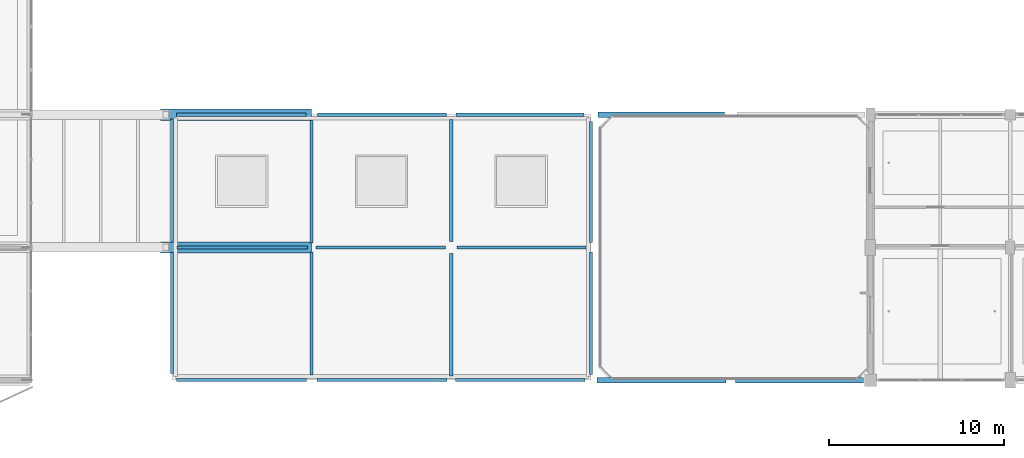
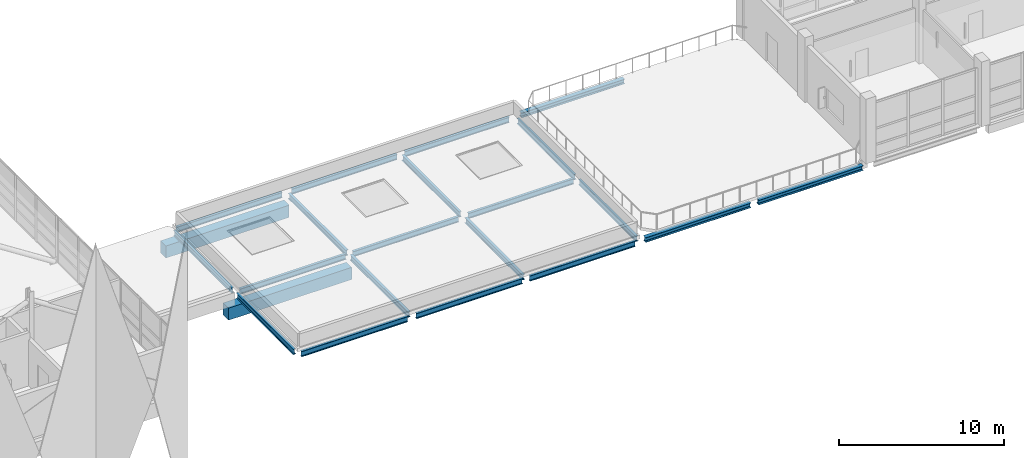
# One storey, part 18 of 107: 22 beams.
"""IFC4 building model written with IfcOpenShell, lengths in metres."""

from ifc_helpers import new_model, si_unit, direction, frame, origin, origin_2d, place, context, subcontext, project, spatial, rectangle, i_section, extrude, material, material_profile, profile_set, type_object, element, save


model = new_model("IFC4")

# Units and contexts
model_context = context("Model", 3, precision=1e-05, world=origin(), true_north=direction((0.0, 1.0)))
body_context = subcontext(model_context, "Body", "Model", "MODEL_VIEW")
ifc_project = project(units=[si_unit("LENGTHUNIT", "METRE"), si_unit("AREAUNIT", "SQUARE_METRE"), si_unit("VOLUMEUNIT", "CUBIC_METRE"), si_unit("PLANEANGLEUNIT", "RADIAN"), si_unit("MASSUNIT", "GRAM", prefix="KILO")], contexts=[model_context])

# Site, building, storey
site_placement = place(None, origin())
site = spatial("IfcSite", under=ifc_project, at=site_placement, CompositionType="ELEMENT")
building_placement = place(site_placement, origin())
building = spatial("IfcBuilding", under=site, at=building_placement, Name="Khelvaren Railside Concert Hall", CompositionType="ELEMENT")
storey_placement = place(building_placement, frame((0.0, 0.0, 15.0)))
storey = spatial("IfcBuildingStorey", under=building, at=storey_placement, Name="L03", CompositionType="ELEMENT", Elevation=15.0)

# Beams
ifc_material_1 = material(Name="Concrete C40/50", Category="concrete")
ifc_material_profile_1 = material_profile(ifc_material_1, rectangle(XDim=0.64990234375, YDim=0.89990234375, at=origin_2d()), Name="RCB 650x900")
ifc_profile_set_1 = profile_set([ifc_material_profile_1], Name="Concrete C40/50")
beam_type_1 = type_object("IfcBeamType", Name="BM18", PredefinedType="BEAM", material=ifc_profile_set_1)
for number, where, z_axis, x_axis, name in (
    (1, (63.35009765625, 7.60009765625, -1.639892578125), (1.0, 0.0, 0.0), (0.0, 1.0, 0.0), "West Promenade Link Bridge L03 Seismic Corbel Seat 1"),
    (2, (63.35009765625, 15.199951171875, -1.639892578125), (1.0, 0.0, 0.0), (0.0, 1.0, 0.0), "West Promenade Link Bridge L03 Seismic Corbel Seat 2"),
):
    element("IfcBeam", number, at=place(storey_placement, frame(where, z_axis=z_axis, x_axis=x_axis)), inside=storey, type_object=beam_type_1, Name=name, PredefinedType="BEAM", context=body_context, shape_type="SweptSolid", body=[
        extrude(rectangle(XDim=0.64990234375, YDim=0.89990234375, at=origin_2d()), origin(), (0.0, 0.0, 1.0), 8.64990234375),
    ])
ifc_material_2 = material(Name="Steel S355", Category="steel")
ifc_material_profile_2 = material_profile(ifc_material_2, i_section(OverallWidth=0.179931640625, OverallDepth=0.39990234375, WebThickness=0.008544921875, FlangeThickness=0.013427734375, FilletRadius=0.02099609375, at=origin_2d()), Name="IPE 400")
ifc_profile_set_2 = profile_set([ifc_material_profile_2], Name="Steel S355")
beam_type_2 = type_object("IfcBeamType", Name="BM29", PredefinedType="BEAM", material=ifc_profile_set_2)
for number, where, z_axis, x_axis, name in (
    (3, (64.25, 0.0, -0.4599609375), (1.0, 0.0, 0.0), (0.0, 1.0, 0.0), "V3-W Roof Beam X (64-72)"),
    (4, (72.300048828125, 0.0, -0.4599609375), (1.0, 0.0, 0.0), (0.0, 1.0, 0.0), "V3-W Roof Beam X (72-80)"),
):
    element("IfcBeam", number, at=place(storey_placement, frame(where, z_axis=z_axis, x_axis=x_axis)), inside=storey, type_object=beam_type_2, Name=name, PredefinedType="BEAM", context=body_context, shape_type="SweptSolid", body=[
        extrude(i_section(OverallWidth=0.179931640625, OverallDepth=0.39990234375, WebThickness=0.008544921875, FlangeThickness=0.013427734375, FilletRadius=0.02099609375, at=origin_2d()), origin(), (0.0, 0.0, 1.0), 7.449951171875),
    ])
beam_1_placement = place(storey_placement, frame((80.25, 0.0, -0.4599609375), z_axis=(1.0, 0.0, 0.0), x_axis=(0.0, 1.0, 0.0)))
element("IfcBeam", 5, at=beam_1_placement, inside=storey, type_object=beam_type_2, Name="V3-W Roof Beam X (80-88)", PredefinedType="BEAM", context=body_context, shape_type="SweptSolid", body=[
    extrude(i_section(OverallWidth=0.179931640625, OverallDepth=0.39990234375, WebThickness=0.008544921875, FlangeThickness=0.013427734375, FilletRadius=0.02099609375, at=origin_2d()), origin(), (0.0, 0.0, 1.0), 7.4140625),
])
beam_2_placement = place(storey_placement, frame((64.300048828125, 7.60009765625, -0.4599609375), z_axis=(1.0, 0.0, 0.0), x_axis=(0.0, 1.0, 0.0)))
element("IfcBeam", 6, at=beam_2_placement, inside=storey, type_object=beam_type_2, Name="V3-W Roof Beam X (64-72)", PredefinedType="BEAM", context=body_context, shape_type="SweptSolid", body=[
    extrude(i_section(OverallWidth=0.179931640625, OverallDepth=0.39990234375, WebThickness=0.008544921875, FlangeThickness=0.013427734375, FilletRadius=0.02099609375, at=origin_2d()), origin(), (0.0, 0.0, 1.0), 7.449951171875),
])
beam_3_placement = place(storey_placement, frame((72.25, 7.60009765625, -0.4599609375), z_axis=(1.0, 0.0, 0.0), x_axis=(0.0, 1.0, 0.0)))
element("IfcBeam", 7, at=beam_3_placement, inside=storey, type_object=beam_type_2, Name="V3-W Roof Beam X (72-80)", PredefinedType="BEAM", context=body_context, shape_type="SweptSolid", body=[
    extrude(i_section(OverallWidth=0.179931640625, OverallDepth=0.39990234375, WebThickness=0.008544921875, FlangeThickness=0.013427734375, FilletRadius=0.02099609375, at=origin_2d()), origin(), (0.0, 0.0, 1.0), 7.4140625),
])
beam_4_placement = place(storey_placement, frame((80.3359375, 7.60009765625, -0.4599609375), z_axis=(1.0, 0.0, 0.0), x_axis=(0.0, 1.0, 0.0)))
element("IfcBeam", 8, at=beam_4_placement, inside=storey, type_object=beam_type_2, Name="V3-W Roof Beam X (80-88)", PredefinedType="BEAM", context=body_context, shape_type="SweptSolid", body=[
    extrude(i_section(OverallWidth=0.179931640625, OverallDepth=0.39990234375, WebThickness=0.008544921875, FlangeThickness=0.013427734375, FilletRadius=0.02099609375, at=origin_2d()), origin(), (0.0, 0.0, 1.0), 7.39111328125),
])
beam_5_placement = place(storey_placement, frame((64.25, 15.199951171875, -0.4599609375), z_axis=(1.0, 0.0, 0.0), x_axis=(0.0, 1.0, 0.0)))
element("IfcBeam", 9, at=beam_5_placement, inside=storey, type_object=beam_type_2, Name="V3-W Roof Beam X (64-72)", PredefinedType="BEAM", context=body_context, shape_type="SweptSolid", body=[
    extrude(i_section(OverallWidth=0.179931640625, OverallDepth=0.39990234375, WebThickness=0.008544921875, FlangeThickness=0.013427734375, FilletRadius=0.02099609375, at=origin_2d()), origin(), (0.0, 0.0, 1.0), 7.4140625),
])
beam_6_placement = place(storey_placement, frame((72.3359375, 15.199951171875, -0.4599609375), z_axis=(1.0, 0.0, 0.0), x_axis=(0.0, 1.0, 0.0)))
element("IfcBeam", 10, at=beam_6_placement, inside=storey, type_object=beam_type_2, Name="V3-W Roof Beam X (72-80)", PredefinedType="BEAM", context=body_context, shape_type="SweptSolid", body=[
    extrude(i_section(OverallWidth=0.179931640625, OverallDepth=0.39990234375, WebThickness=0.008544921875, FlangeThickness=0.013427734375, FilletRadius=0.02099609375, at=origin_2d()), origin(), (0.0, 0.0, 1.0), 7.39111328125),
])
beam_7_placement = place(storey_placement, frame((80.27294921875, 15.199951171875, -0.4599609375), z_axis=(1.0, 0.0, 0.0), x_axis=(0.0, 1.0, 0.0)))
element("IfcBeam", 11, at=beam_7_placement, inside=storey, type_object=beam_type_2, Name="V3-W Roof Beam X (80-88)", PredefinedType="BEAM", context=body_context, shape_type="SweptSolid", body=[
    extrude(i_section(OverallWidth=0.179931640625, OverallDepth=0.39990234375, WebThickness=0.008544921875, FlangeThickness=0.013427734375, FilletRadius=0.02099609375, at=origin_2d()), origin(), (0.0, 0.0, 1.0), 7.3271484375),
])
beam_8_placement = place(storey_placement, frame((64.0, 0.375, -0.4599609375), z_axis=(0.0, 1.0, 0.0), x_axis=(-1.0, 0.0, 0.0)))
element("IfcBeam", 12, at=beam_8_placement, inside=storey, type_object=beam_type_2, Name="V3-W Roof Beam Y (0.0-7.6)", PredefinedType="BEAM", context=body_context, shape_type="SweptSolid", body=[
    extrude(i_section(OverallWidth=0.179931640625, OverallDepth=0.39990234375, WebThickness=0.008544921875, FlangeThickness=0.013427734375, FilletRadius=0.02099609375, at=origin_2d()), origin(), (0.0, 0.0, 1.0), 6.925048828125),
])
for number, where, z_axis, x_axis, name in (
    (13, (64.0, 7.89990234375, -0.4599609375), (0.0, 1.0, 0.0), (-1.0, 0.0, 0.0), "V3-W Roof Beam Y (7.6-15.2)"),
    (14, (72.0, 0.300048828125, -0.4599609375), (0.0, 1.0, 0.0), (-1.0, 0.0, 0.0), "V3-W Roof Beam Y (0.0-7.6)"),
):
    element("IfcBeam", number, at=place(storey_placement, frame(where, z_axis=z_axis, x_axis=x_axis)), inside=storey, type_object=beam_type_2, Name=name, PredefinedType="BEAM", context=body_context, shape_type="SweptSolid", body=[
        extrude(i_section(OverallWidth=0.179931640625, OverallDepth=0.39990234375, WebThickness=0.008544921875, FlangeThickness=0.013427734375, FilletRadius=0.02099609375, at=origin_2d()), origin(), (0.0, 0.0, 1.0), 7.050048828125),
    ])
for number, where, z_axis, x_axis, name in (
    (15, (72.0, 7.85009765625, -0.4599609375), (0.0, 1.0, 0.0), (-1.0, 0.0, 0.0), "V3-W Roof Beam Y (7.6-15.2)"),
    (16, (80.0, 0.25, -0.4599609375), (0.0, 1.0, 0.0), (-1.0, 0.0, 0.0), "V3-W Roof Beam Y (0.0-7.6)"),
):
    element("IfcBeam", number, at=place(storey_placement, frame(where, z_axis=z_axis, x_axis=x_axis)), inside=storey, type_object=beam_type_2, Name=name, PredefinedType="BEAM", context=body_context, shape_type="SweptSolid", body=[
        extrude(i_section(OverallWidth=0.179931640625, OverallDepth=0.39990234375, WebThickness=0.008544921875, FlangeThickness=0.013427734375, FilletRadius=0.02099609375, at=origin_2d()), origin(), (0.0, 0.0, 1.0), 7.013916015625),
    ])
for number, where, z_axis, x_axis, name in (
    (17, (80.0, 7.93603515625, -0.4599609375), (0.0, 1.0, 0.0), (-1.0, 0.0, 0.0), "V3-W Roof Beam Y (7.6-15.2)"),
    (18, (88.0, 0.3359375, -0.4599609375), (0.0, 1.0, 0.0), (-1.0, 0.0, 0.0), "V3-W Roof Beam Y (0.0-7.6)"),
):
    element("IfcBeam", number, at=place(storey_placement, frame(where, z_axis=z_axis, x_axis=x_axis)), inside=storey, type_object=beam_type_2, Name=name, PredefinedType="BEAM", context=body_context, shape_type="SweptSolid", body=[
        extrude(i_section(OverallWidth=0.179931640625, OverallDepth=0.39990234375, WebThickness=0.008544921875, FlangeThickness=0.013427734375, FilletRadius=0.02099609375, at=origin_2d()), origin(), (0.0, 0.0, 1.0), 6.990966796875),
    ])
beam_9_placement = place(storey_placement, frame((88.0, 7.873046875, -0.4599609375), z_axis=(0.0, 1.0, 0.0), x_axis=(-1.0, 0.0, 0.0)))
element("IfcBeam", 19, at=beam_9_placement, inside=storey, type_object=beam_type_2, Name="V3-W Roof Beam Y (7.6-15.2)", PredefinedType="BEAM", context=body_context, shape_type="SweptSolid", body=[
    extrude(i_section(OverallWidth=0.179931640625, OverallDepth=0.39990234375, WebThickness=0.008544921875, FlangeThickness=0.013427734375, FilletRadius=0.02099609375, at=origin_2d()), origin(), (0.0, 0.0, 1.0), 6.927001953125),
])
ifc_material_profile_3 = material_profile(ifc_material_2, i_section(OverallWidth=0.300048828125, OverallDepth=0.35009765625, WebThickness=0.010009765625, FlangeThickness=0.017578125, FilletRadius=0.027099609375, at=origin_2d()), Name="HEA 360")
ifc_profile_set_3 = profile_set([ifc_material_profile_3], Name="Steel S355")
beam_type_3 = type_object("IfcBeamType", Name="SP38", PredefinedType="SPANDREL", material=ifc_profile_set_3)
beam_10_placement = place(storey_placement, frame((88.3359375, 0.0, -0.39501953125), z_axis=(1.0, 0.0, 0.0), x_axis=(0.0, 1.0, 0.0)))
element("IfcBeam", 20, at=beam_10_placement, inside=storey, type_object=beam_type_3, Name="V3 L03 Terrace Edge Spandrel 10", PredefinedType="SPANDREL", context=body_context, shape_type="SweptSolid", body=[
    extrude(i_section(OverallWidth=0.300048828125, OverallDepth=0.35009765625, WebThickness=0.010009765625, FlangeThickness=0.017578125, FilletRadius=0.027099609375, at=origin_2d()), origin(), (0.0, 0.0, 1.0), 7.39111328125),
])
beam_11_placement = place(storey_placement, frame((96.27294921875, 0.0, -0.39501953125), z_axis=(1.0, 0.0, 0.0), x_axis=(0.0, 1.0, 0.0)))
element("IfcBeam", 21, at=beam_11_placement, inside=storey, type_object=beam_type_3, Name="V3 L03 Terrace Edge Spandrel 11", PredefinedType="SPANDREL", context=body_context, shape_type="SweptSolid", body=[
    extrude(i_section(OverallWidth=0.300048828125, OverallDepth=0.35009765625, WebThickness=0.010009765625, FlangeThickness=0.017578125, FilletRadius=0.027099609375, at=origin_2d()), origin(), (0.0, 0.0, 1.0), 7.3271484375),
])
beam_12_placement = place(storey_placement, frame((88.39990234375, 15.199951171875, -0.39501953125), z_axis=(1.0, 0.0, 0.0), x_axis=(0.0, 1.0, 0.0)))
element("IfcBeam", 22, at=beam_12_placement, inside=storey, type_object=beam_type_3, Name="V3 L03 Terrace Edge Spandrel 12", PredefinedType="SPANDREL", context=body_context, shape_type="SweptSolid", body=[
    extrude(i_section(OverallWidth=0.300048828125, OverallDepth=0.35009765625, WebThickness=0.010009765625, FlangeThickness=0.017578125, FilletRadius=0.027099609375, at=origin_2d()), origin(), (0.0, 0.0, 1.0), 7.25),
])

save(model, "model.ifc")
